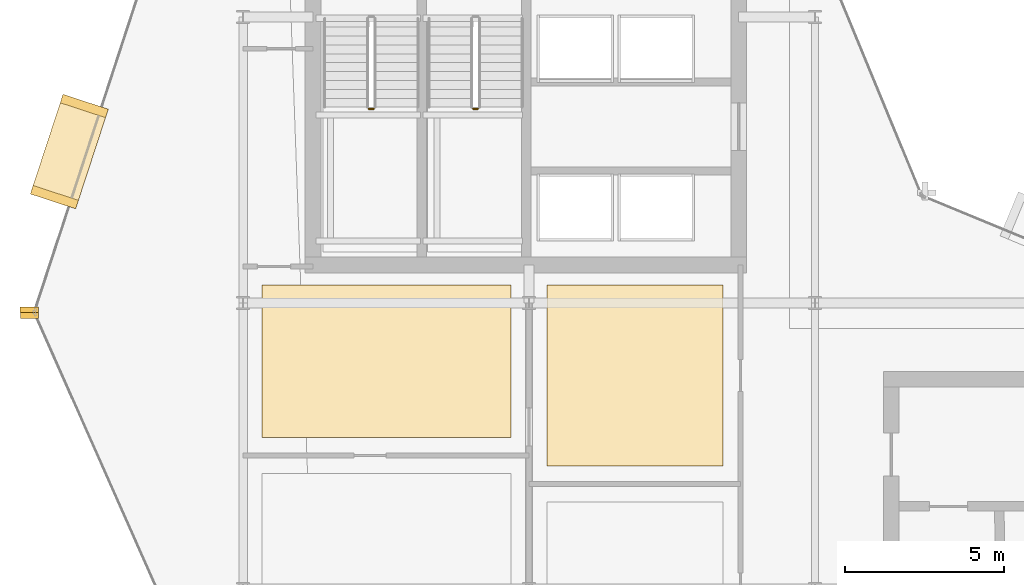
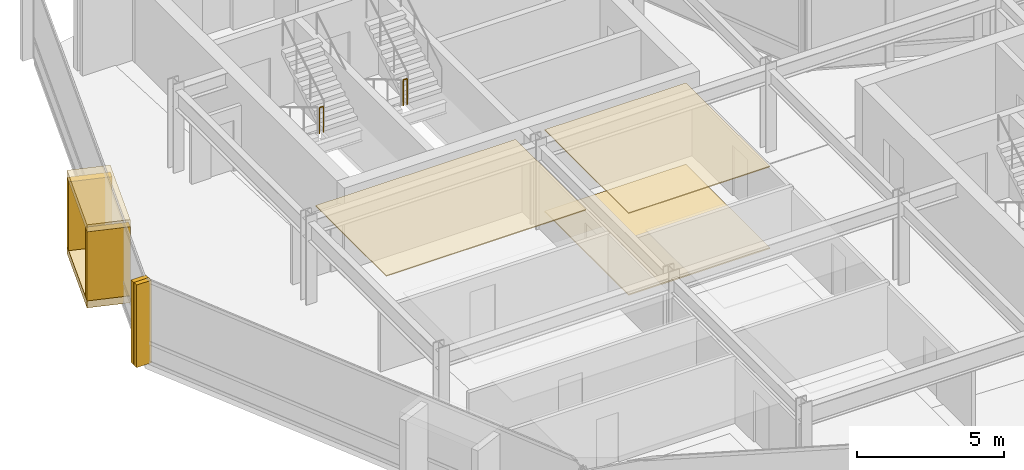
# One storey, part 23 of 27: 9 coverings, 2 railings.
"""IFC4 building model written with IfcOpenShell, lengths in metres."""

from ifc_helpers import new_model, si_unit, direction, frame, origin, origin_2d, place, context, subcontext, project, spatial, polyline, rectangle, circle, outline, extrude, material, layer, layer_set, type_object, element, save


model = new_model("IFC4")

# Units and contexts
model_context = context("Model", 3, precision=1e-05, world=origin(), true_north=direction((0.0, 1.0)))
body_context = subcontext(model_context, "Body", "Model", "MODEL_VIEW")
ifc_project = project(units=[si_unit("LENGTHUNIT", "METRE"), si_unit("AREAUNIT", "SQUARE_METRE"), si_unit("VOLUMEUNIT", "CUBIC_METRE"), si_unit("PLANEANGLEUNIT", "RADIAN"), si_unit("MASSUNIT", "GRAM", prefix="KILO")], contexts=[model_context])

# Site, building, storey
site_placement = place(None, origin())
site = spatial("IfcSite", under=ifc_project, at=site_placement, CompositionType="ELEMENT")
building_placement = place(site_placement, origin())
building = spatial("IfcBuilding", under=site, at=building_placement, Name="Solvaryn Broadcast Tower", CompositionType="ELEMENT")
storey_placement = place(building_placement, frame((0.0, 0.0, 174.199951171875)))
storey = spatial("IfcBuildingStorey", under=building, at=storey_placement, Name="L43", CompositionType="ELEMENT", Elevation=174.199951171875)

# Coverings
ifc_material_1 = material(Name="Micro-Perforated Acoustic Gypsum Ceiling", Category="concrete")
ifc_layer_1 = layer(ifc_material_1, 0.0400390625)
ifc_layer_set_1 = layer_set([ifc_layer_1], Name="CV-CEIL-ACOUSTIC")
covering_type_1 = type_object("IfcCoveringType", Name="CV-CEIL-ACOUSTIC", PredefinedType="CEILING", material=ifc_layer_set_1)
covering_1_placement = place(storey_placement, frame((0.0, 0.0, 3.380126953125)))
element("IfcCovering", 1, at=covering_1_placement, inside=storey, type_object=covering_type_1, Name="L43 Room Acoustic Ceiling 3", PredefinedType="CEILING", context=body_context, shape_type="SweptSolid", body=[
    extrude(outline(polyline([(18.570068359375, 21.8701171875), (24.10009765625, 21.8701171875), (24.10009765625, 27.56005859375), (18.570068359375, 27.56005859375), (18.570068359375, 21.8701171875)])), origin(), (0.0, 0.0, 1.0), 0.0400390625),
])
covering_2_placement = place(storey_placement, frame((0.0, 0.0, 3.380126953125)))
element("IfcCovering", 2, at=covering_2_placement, inside=storey, type_object=covering_type_1, Name="L43 Room Acoustic Ceiling 7", PredefinedType="CEILING", context=body_context, shape_type="SweptSolid", body=[
    extrude(outline(polyline([(9.60009765625, 22.77001953125), (17.429931640625, 22.77001953125), (17.429931640625, 27.56005859375), (9.60009765625, 27.56005859375), (9.60009765625, 22.77001953125)])), origin(), (0.0, 0.0, 1.0), 0.0400390625),
])
ifc_material_2 = material(Name="Newsroom Raised Data Access Flooring", Category="steel")
ifc_layer_2 = layer(ifc_material_2, 0.050048828125)
ifc_layer_set_2 = layer_set([ifc_layer_2], Name="CV-FLOOR-RAISED")
covering_type_2 = type_object("IfcCoveringType", Name="CV-FLOOR-RAISED", PredefinedType="FLOORING", material=ifc_layer_set_2)
covering_3_placement = place(storey_placement, origin())
element("IfcCovering", 3, at=covering_3_placement, inside=storey, type_object=covering_type_2, Name="L43 Room Acoustic Floor Finish 3", PredefinedType="FLOORING", context=body_context, shape_type="SweptSolid", body=[
    extrude(outline(polyline([(18.570068359375, 21.8701171875), (24.10009765625, 21.8701171875), (24.10009765625, 27.56005859375), (18.570068359375, 27.56005859375), (18.570068359375, 21.8701171875)])), origin(), (0.0, 0.0, 1.0), 0.050048828125),
])
ifc_material_3 = material(Name="Glazed Architectural Terracotta Rainscreen Cladding", Category="masonry")
ifc_layer_3 = layer(ifc_material_3, 0.280029296875)
ifc_layer_set_3 = layer_set([ifc_layer_3], Name="CV-TC-CLAD")
covering_type_3 = type_object("IfcCoveringType", Name="CV-TC-CLAD", PredefinedType="CLADDING", material=ifc_layer_set_3)
for number, where, z_axis, x_axis, name in (
    (4, (3.533935546875, 31.763916015625, 3.1298828125), (0.0, 0.0, 1.0), (-0.311505792684, -0.950244253402, 0.0), "L43 Projecting Stone Window Box Hood 1"),
    (5, (3.533935546875, 31.763916015625, -0.009765625), (0.0, 0.0, 1.0), (-0.311505792684, -0.950244253402, 0.0), "L43 Projecting Stone Window Box Sill 1"),
):
    element("IfcCovering", number, at=place(storey_placement, frame(where, z_axis=z_axis, x_axis=x_axis)), inside=storey, type_object=covering_type_3, Name=name, PredefinedType="CLADDING", context=body_context, shape_type="SweptSolid", body=[
        extrude(rectangle(XDim=3.300048828125, YDim=1.5, at=origin_2d()), origin(), (0.0, 0.0, 1.0), 0.300048828125),
    ])
for number, where, z_axis, x_axis, name in (
    (6, (4.00439453125, 33.198974609375, 0.27978515625), (0.0, 0.0, 1.0), (-0.311505792684, -0.950244253402, 0.0), "L43 Projecting Stone Window Box Cheek 1-1"),
    (7, (3.063720703125, 30.3291015625, 0.27978515625), (0.0, 0.0, 1.0), (-0.311505792684, -0.950244253402, 0.0), "L43 Projecting Stone Window Box Cheek 1-2"),
):
    element("IfcCovering", number, at=place(storey_placement, frame(where, z_axis=z_axis, x_axis=x_axis)), inside=storey, type_object=covering_type_3, Name=name, PredefinedType="CLADDING", context=body_context, shape_type="SweptSolid", body=[
        extrude(rectangle(XDim=0.280029296875, YDim=1.5, at=origin_2d()), origin(), (0.0, 0.0, 1.0), 2.860107421875),
    ])
ifc_material_4 = material(Name="Extruded Architectural Terracotta Fin", Category="masonry")
ifc_layer_4 = layer(ifc_material_4, 0.179931640625)
ifc_layer_set_4 = layer_set([ifc_layer_4], Name="CV-TC-FIN")
covering_type_4 = type_object("IfcCoveringType", Name="CV-TC-FIN", PredefinedType="USERDEFINED", material=ifc_layer_set_4)
for number, where, z_axis, x_axis, name in (
    (8, (2.271240234375, 26.790771484375, 0.0), (0.0, 0.0, 1.0), (1.0, 0.0, 0.0), "L43 Terracotta Vertical Fin FIN-L43-DR1-M01"),
    (9, (2.281005859375, 26.605712890625, 0.0), (0.0, 0.0, 1.0), (1.0, 0.0, 0.0), "L43 Terracotta Vertical Fin FIN-L43-DR2-M00"),
):
    element("IfcCovering", number, at=place(storey_placement, frame(where, z_axis=z_axis, x_axis=x_axis)), inside=storey, type_object=covering_type_4, Name=name, ObjectType="FIN", PredefinedType="USERDEFINED", context=body_context, shape_type="SweptSolid", body=[
        extrude(rectangle(XDim=0.580078125, YDim=0.179931640625, at=origin_2d()), origin(), (0.0, 0.0, 1.0), 3.419921875),
    ])

# Railings
ifc_material_5 = material(Name="Painted Steel Stair Well Guard", Category="steel")
railing_type = type_object("IfcRailingType", Name="RL-STAIR-GUARD", PredefinedType="BALUSTRADE", material=ifc_material_5)
railing_1_placement = place(storey_placement, frame((12.9599609375, 33.110107421875, 1.85009765625)))
element("IfcRailing", 10, at=railing_1_placement, inside=storey, type_object=railing_type, Name="L43 ST1 stair guard 2", PredefinedType="BALUSTRADE", context=body_context, shape_type="SweptSolid", body=[
    extrude(circle(Radius=0.02392578125, at=origin_2d()), frame((0.0, 0.0, 1.076171875), z_axis=(1.0, 0.0, 0.0), x_axis=(0.0, 1.0, 0.0)), (0.0, 0.0, 1.0), 0.150146484375),
    extrude(circle(Radius=0.02099609375, at=origin_2d()), origin(), (0.0, 0.0, 1.0), 1.052001953125),
    extrude(circle(Radius=0.02099609375, at=origin_2d()), frame((0.150146484375, 0.0, 0.0)), (0.0, 0.0, 1.0), 1.052001953125),
])
railing_2_placement = place(storey_placement, frame((16.239990234375, 33.110107421875, 1.85009765625)))
element("IfcRailing", 11, at=railing_2_placement, inside=storey, type_object=railing_type, Name="L43 ST2 stair guard 2", PredefinedType="BALUSTRADE", context=body_context, shape_type="SweptSolid", body=[
    extrude(circle(Radius=0.02392578125, at=origin_2d()), frame((0.0, 0.0, 1.076171875), z_axis=(1.0, 0.0, 0.0), x_axis=(0.0, 1.0, 0.0)), (0.0, 0.0, 1.0), 0.14990234375),
    extrude(circle(Radius=0.02099609375, at=origin_2d()), origin(), (0.0, 0.0, 1.0), 1.052001953125),
    extrude(circle(Radius=0.02099609375, at=origin_2d()), frame((0.14990234375, 0.0, 0.0)), (0.0, 0.0, 1.0), 1.052001953125),
])

save(model, "model.ifc")
